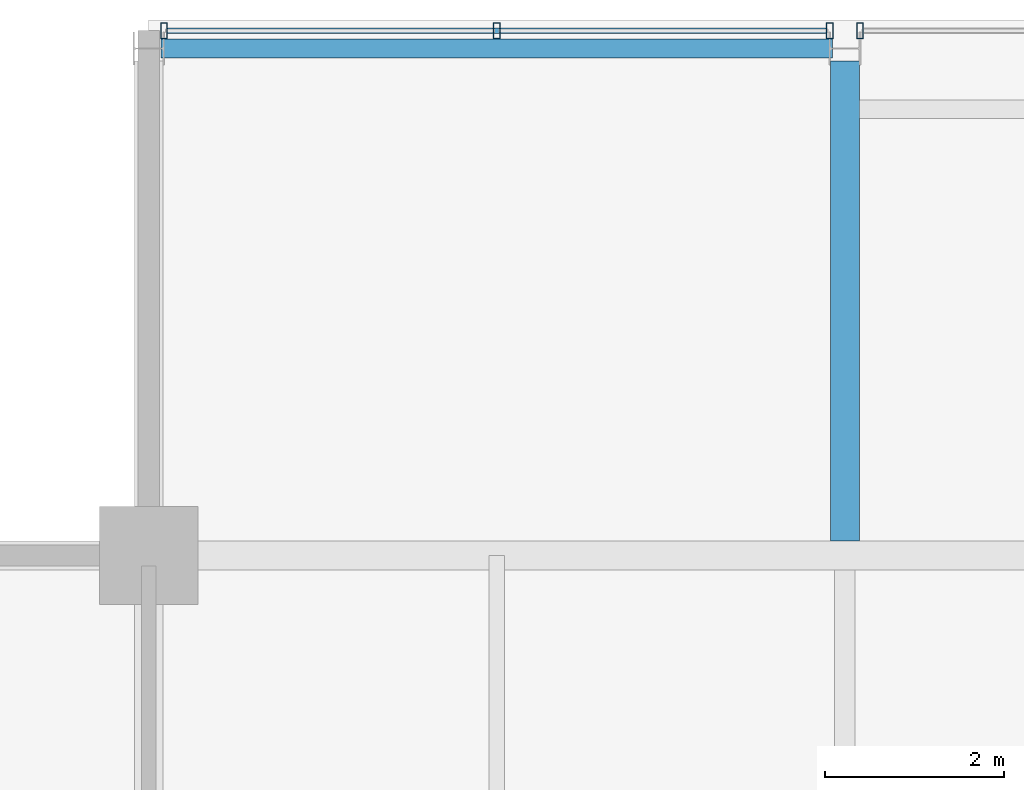
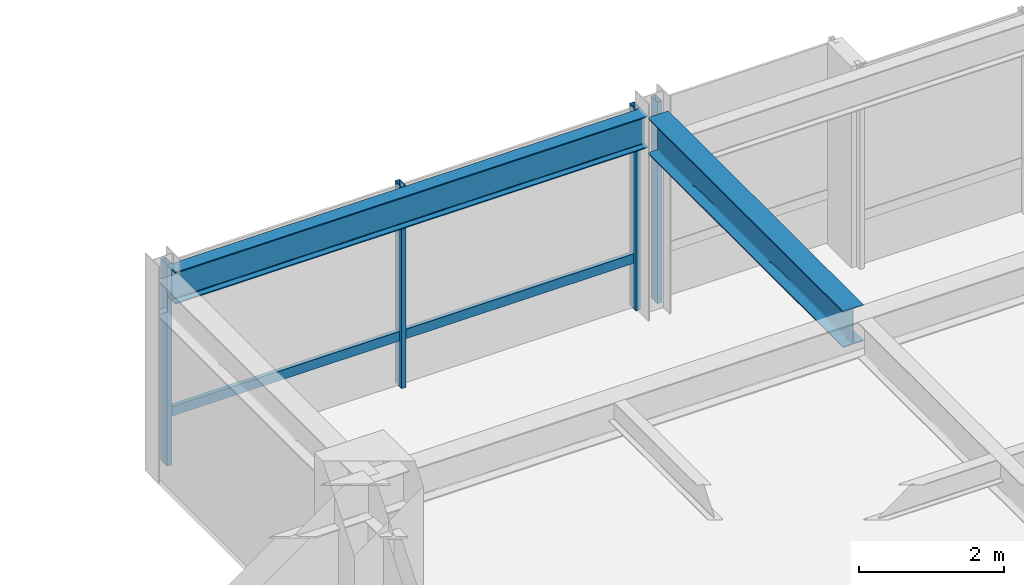
# One storey, part 21 of 33: 5 members, 2 beams, 2 elements without a shape of their own.
"""IFC4 building model written with IfcOpenShell, lengths in metres."""

from ifc_helpers import new_model, si_unit, direction, frame, origin, origin_2d, place, context, subcontext, project, spatial, hollow_rectangle, i_section, extrude, material, layer, layer_set, material_profile, profile_set, type_object, element, aggregate, save


model = new_model("IFC4")

# Units and contexts
model_context = context("Model", 3, precision=1e-05, world=origin(), true_north=direction((0.0, 1.0)))
body_context = subcontext(model_context, "Body", "Model", "MODEL_VIEW")
ifc_project = project(units=[si_unit("LENGTHUNIT", "METRE"), si_unit("AREAUNIT", "SQUARE_METRE"), si_unit("VOLUMEUNIT", "CUBIC_METRE"), si_unit("PLANEANGLEUNIT", "RADIAN"), si_unit("MASSUNIT", "GRAM", prefix="KILO")], contexts=[model_context])

# Site, building, storey
site_placement = place(None, origin())
site = spatial("IfcSite", under=ifc_project, at=site_placement, CompositionType="ELEMENT")
building_placement = place(site_placement, origin())
building = spatial("IfcBuilding", under=site, at=building_placement, Name="Drelvath Grand Hotel", CompositionType="ELEMENT")
storey_placement = place(building_placement, frame((0.0, 0.0, 279.60009765625)))
storey = spatial("IfcBuildingStorey", under=building, at=storey_placement, Name="L73", CompositionType="ELEMENT", Elevation=279.60009765625)

# Curtain wall, members
ifc_material_1 = material(Name="Platinum-Mist Anodised Aluminium Frame", Category="aluminium")
ifc_layer = layer(ifc_material_1, 0.199951171875)
ifc_layer_set = layer_set([ifc_layer], Name="Platinum-Mist Anodised Aluminium Frame")
curtain_wall_type = type_object("IfcCurtainWallType", Name="Stick Curtain Wall CW-05 Platinum Mist High-Rise", PredefinedType="NOTDEFINED", material=ifc_layer_set)
curtain_wall_1_placement = place(storey_placement, origin())
curtain_wall_1 = element("IfcCurtainWall", 1, at=curtain_wall_1_placement, inside=storey, type_object=curtain_wall_type, Name="L73 CW-05 Curtain Wall CW05-L73-NW1", PredefinedType="NOTDEFINED")
ifc_material_profile_1 = material_profile(ifc_material_1, hollow_rectangle(XDim=0.06494140625, YDim=0.159912109375, WallThickness=0.00390625, at=origin_2d()), Name="HSS160X65X4")
ifc_profile_set_1 = profile_set([ifc_material_profile_1], Name="Platinum-Mist Anodised Aluminium Frame")
member_type_1 = type_object("IfcMemberType", Name="Curtain Wall Horizontal Transom CW-05 HSS160X65X4", PredefinedType="USERDEFINED", material=ifc_profile_set_1)
member_1_placement = place(storey_placement, frame((-15.989990234375, 49.080078125, 0.847412109375), z_axis=(1.0, 0.0, 0.0), x_axis=(0.0, 1.0, 0.0)))
member_1 = element("IfcMember", 2, at=member_1_placement, type_object=member_type_1, Name="CW05-L73-NW1 Sill Transom", ObjectType="TRANSOM", PredefinedType="USERDEFINED", context=body_context, shape_type="SweptSolid", body=[
    extrude(hollow_rectangle(XDim=0.06494140625, YDim=0.159912109375, WallThickness=0.00390625, at=origin_2d()), origin(), (0.0, 0.0, 1.0), 7.3798828125),
])
ifc_material_profile_2 = material_profile(ifc_material_1, hollow_rectangle(XDim=0.074951171875, YDim=0.179931640625, WallThickness=0.0048828125, at=origin_2d()), Name="HSS180X75X5")
ifc_profile_set_2 = profile_set([ifc_material_profile_2], Name="Platinum-Mist Anodised Aluminium Frame")
member_type_2 = type_object("IfcMemberType", Name="Curtain Wall Vertical Mullion CW-05 HSS180X75X5", PredefinedType="MULLION", material=ifc_profile_set_2)
member_2_placement = place(storey_placement, frame((-16.02978515625, 49.080078125, 0.0), z_axis=(0.0, 0.0, 1.0), x_axis=(1.0, 0.0, 0.0)))
member_2 = element("IfcMember", 3, at=member_2_placement, type_object=member_type_2, Name="CW05-L73-NW1 Mullion 1", PredefinedType="MULLION", context=body_context, shape_type="SweptSolid", body=[
    extrude(hollow_rectangle(XDim=0.074951171875, YDim=0.179931640625, WallThickness=0.0048828125, at=origin_2d()), origin(), (0.0, 0.0, 1.0), 3.389892578125),
])
member_3_placement = place(storey_placement, frame((-12.300048828125, 49.080078125, 0.0), z_axis=(0.0, 0.0, 1.0), x_axis=(1.0, 0.0, 0.0)))
member_3 = element("IfcMember", 4, at=member_3_placement, type_object=member_type_2, Name="CW05-L73-NW1 Mullion 2", PredefinedType="MULLION", context=body_context, shape_type="SweptSolid", body=[
    extrude(hollow_rectangle(XDim=0.074951171875, YDim=0.179931640625, WallThickness=0.0048828125, at=origin_2d()), origin(), (0.0, 0.0, 1.0), 3.389892578125),
])
member_4_placement = place(storey_placement, frame((-8.570068359375, 49.080078125, 0.0), z_axis=(0.0, 0.0, 1.0), x_axis=(1.0, 0.0, 0.0)))
member_4 = element("IfcMember", 5, at=member_4_placement, type_object=member_type_2, Name="CW05-L73-NW1 Mullion 3", PredefinedType="MULLION", context=body_context, shape_type="SweptSolid", body=[
    extrude(hollow_rectangle(XDim=0.074951171875, YDim=0.179931640625, WallThickness=0.0048828125, at=origin_2d()), origin(), (0.0, 0.0, 1.0), 3.389892578125),
])
aggregate(curtain_wall_1, [member_2, member_3, member_4, member_1])

# Curtain wall, member
curtain_wall_2_placement = place(storey_placement, origin())
curtain_wall_2 = element("IfcCurtainWall", 6, at=curtain_wall_2_placement, inside=storey, type_object=curtain_wall_type, Name="L73 CW-05 Curtain Wall CW05-L73-NW2", PredefinedType="NOTDEFINED")
member_5_placement = place(storey_placement, frame((-8.22998046875, 49.080078125, 0.0), z_axis=(0.0, 0.0, 1.0), x_axis=(1.0, 0.0, 0.0)))
member_5 = element("IfcMember", 7, at=member_5_placement, type_object=member_type_2, Name="CW05-L73-NW2 Mullion 1", PredefinedType="MULLION", context=body_context, shape_type="SweptSolid", body=[
    extrude(hollow_rectangle(XDim=0.074951171875, YDim=0.179931640625, WallThickness=0.0048828125, at=origin_2d()), origin(), (0.0, 0.0, 1.0), 3.389892578125),
])
aggregate(curtain_wall_2, [member_5])

# Beams
ifc_material_2 = material(Name="Steel ASTM A992 Gr 50", Category="steel")
ifc_material_profile_3 = material_profile(ifc_material_2, i_section(OverallWidth=0.210205078125, OverallDepth=0.53662109375, WebThickness=0.010986328125, FlangeThickness=0.017333984375, FilletRadius=0.01806640625, at=origin_2d()), Name="W21X68")
ifc_profile_set_3 = profile_set([ifc_material_profile_3], Name="Steel ASTM A992 Gr 50")
beam_type_1 = type_object("IfcBeamType", Name="Perimeter Spandrel Beam W21X68", PredefinedType="SPANDREL", material=ifc_profile_set_3)
beam_1_placement = place(storey_placement, frame((-16.06005859375, 48.8798828125, 3.12158203125), z_axis=(1.0, 0.0, 0.0), x_axis=(0.0, 1.0, 0.0)))
element("IfcBeam", 8, at=beam_1_placement, inside=storey, type_object=beam_type_1, Name="L73 Spandrel North W", PredefinedType="SPANDREL", context=body_context, shape_type="SweptSolid", body=[
    extrude(i_section(OverallWidth=0.210205078125, OverallDepth=0.53662109375, WebThickness=0.010986328125, FlangeThickness=0.017333984375, FilletRadius=0.01806640625, at=origin_2d()), origin(), (0.0, 0.0, 1.0), 7.52001953125),
])
ifc_material_profile_4 = material_profile(ifc_material_2, i_section(OverallWidth=0.323974609375, OverallDepth=0.611083984375, WebThickness=0.0126953125, FlangeThickness=0.01904296875, FilletRadius=0.02197265625, at=origin_2d()), Name="W24X104")
ifc_profile_set_4 = profile_set([ifc_material_profile_4], Name="Steel ASTM A992 Gr 50")
beam_type_2 = type_object("IfcBeamType", Name="Primary Floor Girder W24X104", PredefinedType="BEAM", material=ifc_profile_set_4)
beam_2_placement = place(storey_placement, frame((-8.39990234375, 43.362060546875, 3.08447265625), z_axis=(0.0, 1.0, 0.0), x_axis=(-1.0, 0.0, 0.0)))
element("IfcBeam", 9, at=beam_2_placement, inside=storey, type_object=beam_type_2, Name="L73 North Wing Girder 4", PredefinedType="BEAM", context=body_context, shape_type="SweptSolid", body=[
    extrude(i_section(OverallWidth=0.323974609375, OverallDepth=0.611083984375, WebThickness=0.0126953125, FlangeThickness=0.01904296875, FilletRadius=0.02197265625, at=origin_2d()), origin(), (0.0, 0.0, 1.0), 5.3779296875),
])

save(model, "model.ifc")
